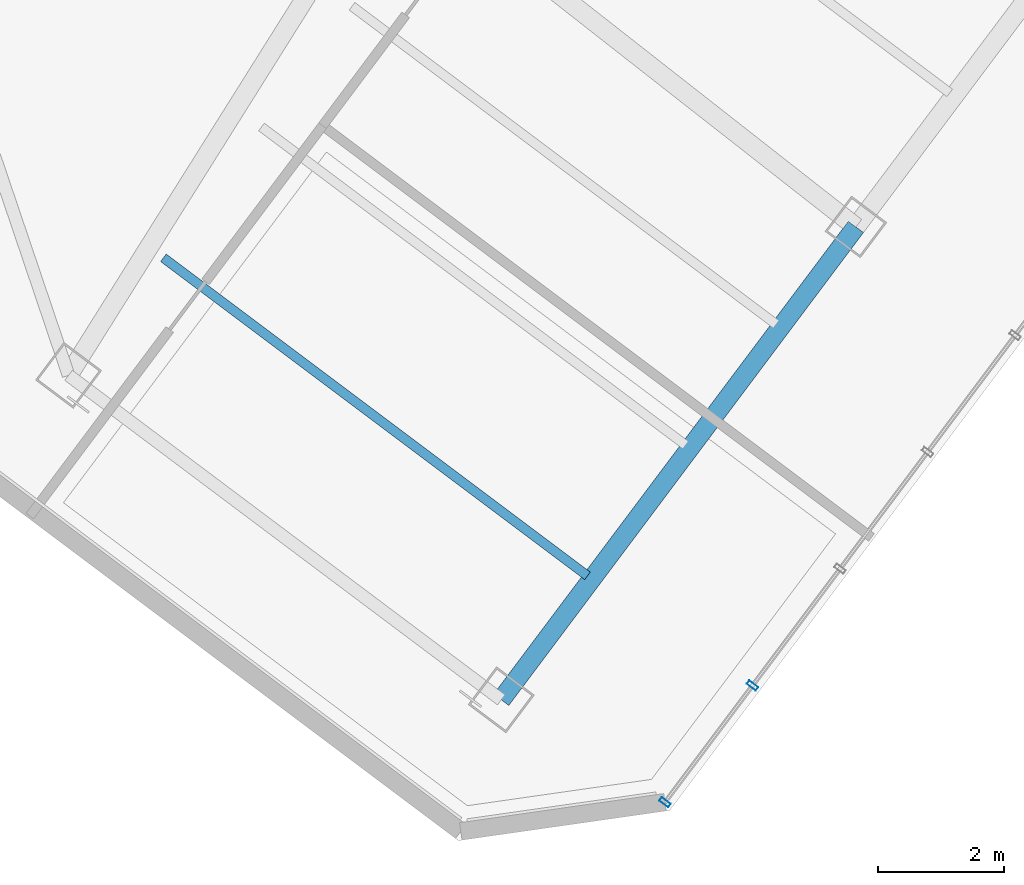
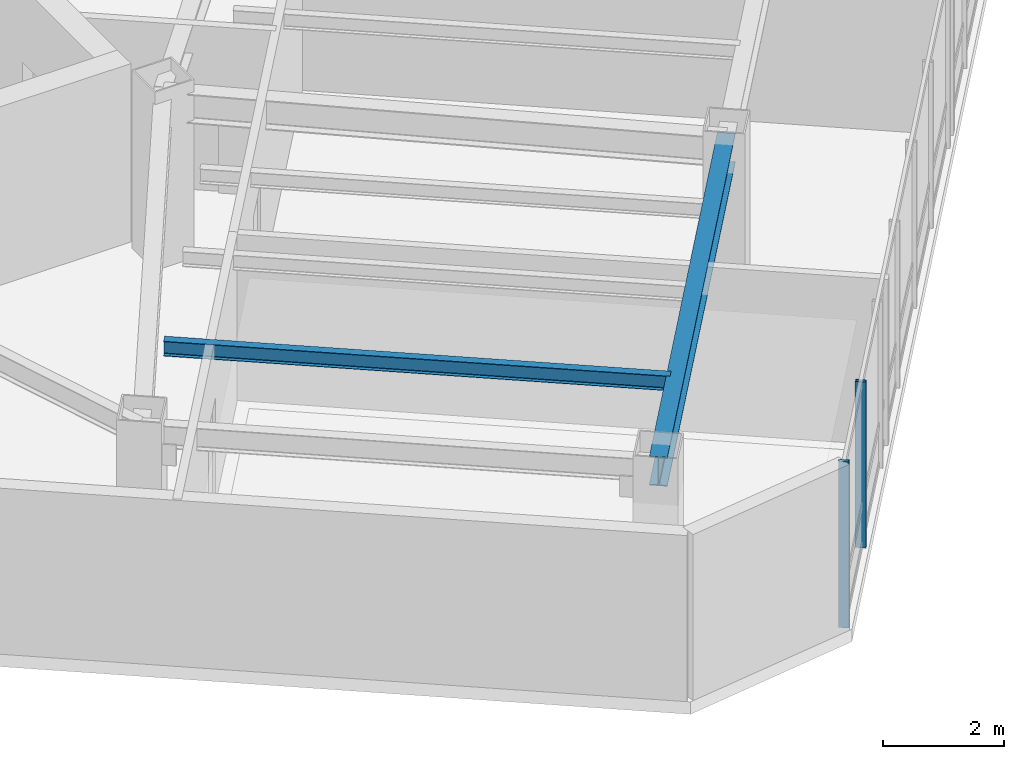
# One storey, part 2 of 26: 2 beams, 2 members, 1 element without a shape of its own.
"""IFC4 building model written with IfcOpenShell, lengths in metres."""

from ifc_helpers import new_model, si_unit, direction, frame, origin, origin_2d, place, context, subcontext, project, spatial, hollow_rectangle, i_section, extrude, material, layer, layer_set, material_profile, profile_set, type_object, element, aggregate, save


model = new_model("IFC4")

# Units and contexts
model_context = context("Model", 3, precision=1e-05, world=origin(), true_north=direction((0.0, 1.0)))
body_context = subcontext(model_context, "Body", "Model", "MODEL_VIEW")
ifc_project = project(units=[si_unit("LENGTHUNIT", "METRE"), si_unit("AREAUNIT", "SQUARE_METRE"), si_unit("VOLUMEUNIT", "CUBIC_METRE"), si_unit("PLANEANGLEUNIT", "RADIAN"), si_unit("MASSUNIT", "GRAM", prefix="KILO")], contexts=[model_context])

# Site, building, storey
site_placement = place(None, origin())
site = spatial("IfcSite", under=ifc_project, at=site_placement, CompositionType="ELEMENT")
building_placement = place(site_placement, origin())
building = spatial("IfcBuilding", under=site, at=building_placement, Name="Hatsunagi Terrace Concourse", CompositionType="ELEMENT")
storey_placement = place(building_placement, frame((0.0, 0.0, 198.75)))
storey = spatial("IfcBuildingStorey", under=building, at=storey_placement, Name="L52", CompositionType="ELEMENT", Elevation=198.75)

# Curtain wall, members
ifc_material_1 = material(Name="Anodised Aluminium Alloy 6063-T5", Category="aluminium")
ifc_layer = layer(ifc_material_1, 0.199951171875)
ifc_layer_set = layer_set([ifc_layer], Name="OfficeZone2_CW04")
curtain_wall_type = type_object("IfcCurtainWallType", Name="OfficeZone2_CW04", PredefinedType="NOTDEFINED", material=ifc_layer_set)
curtain_wall_placement = place(storey_placement, origin())
curtain_wall = element("IfcCurtainWall", 1, at=curtain_wall_placement, inside=storey, type_object=curtain_wall_type, Name="Unitised Curtain Wall CW-04 CW-L52-03", PredefinedType="NOTDEFINED")
ifc_material_2 = material(Name="Anodised Aluminium Alloy 6063-T5", Category="aluminium")
ifc_material_profile_1 = material_profile(ifc_material_2, hollow_rectangle(XDim=0.070068359375, YDim=0.179931640625, WallThickness=0.00390625, at=origin_2d()), Name="ALU-MUL-180x70x4")
ifc_profile_set_1 = profile_set([ifc_material_profile_1], Name="Anodised Aluminium Alloy 6063-T5")
member_type = type_object("IfcMemberType", Name="CurtainWallMullion_180x70", PredefinedType="MULLION", material=ifc_profile_set_1)
member_1_placement = place(storey_placement, frame((49.554931640625, 11.10595703125, 0.0), z_axis=(0.0, 0.0, 1.0), x_axis=(-0.599969314634, -0.800023013105, 0.0)))
member_1 = element("IfcMember", 2, at=member_1_placement, type_object=member_type, Name="Curtain Wall Mullion MUL-02", PredefinedType="MULLION", context=body_context, shape_type="SweptSolid", body=[
    extrude(hollow_rectangle(XDim=0.070068359375, YDim=0.179931640625, WallThickness=0.00390625, at=origin_2d()), origin(), (0.0, 0.0, 1.0), 3.35009765625),
])
member_2_placement = place(storey_placement, frame((48.1630859375, 9.25, 0.0), z_axis=(0.0, 0.0, 1.0), x_axis=(-0.599969314634, -0.800023013105, 0.0)))
member_2 = element("IfcMember", 3, at=member_2_placement, type_object=member_type, Name="Curtain Wall Mullion MUL-02", PredefinedType="MULLION", context=body_context, shape_type="SweptSolid", body=[
    extrude(hollow_rectangle(XDim=0.070068359375, YDim=0.179931640625, WallThickness=0.00390625, at=origin_2d()), origin(), (0.0, 0.0, 1.0), 3.35009765625),
])
aggregate(curtain_wall, [member_1, member_2])

# Beams
ifc_material_3 = material(Name="Steel SN490B", Category="steel")
ifc_material_profile_2 = material_profile(ifc_material_3, i_section(OverallWidth=0.300048828125, OverallDepth=0.587890625, WebThickness=0.011962890625, FlangeThickness=0.02001953125, FilletRadius=0.01806640625, at=origin_2d()), Name="H-588x300x12x20")
ifc_profile_set_2 = profile_set([ifc_material_profile_2], Name="Steel SN490B")
beam_type_1 = type_object("IfcBeamType", Name="OfficeHighGirder_H_588x300", PredefinedType="BEAM", material=ifc_profile_set_2)
beam_1_placement = place(storey_placement, frame((45.56005859375, 10.8798828125, 3.055908203125), z_axis=(0.599991688754, 0.800006233367, 0.0), x_axis=(-0.800006233367, 0.599991688754, 0.0)))
element("IfcBeam", 4, at=beam_1_placement, inside=storey, type_object=beam_type_1, Name="Beam G-06 BM-L52-SET-2A", PredefinedType="BEAM", context=body_context, shape_type="SweptSolid", body=[
    extrude(i_section(OverallWidth=0.300048828125, OverallDepth=0.587890625, WebThickness=0.011962890625, FlangeThickness=0.02001953125, FilletRadius=0.01806640625, at=origin_2d()), origin(), (0.0, 0.0, 1.0), 9.39990234375),
])
ifc_material_4 = material(Name="Steel SN490B", Category="steel")
ifc_material_profile_3 = material_profile(ifc_material_4, i_section(OverallWidth=0.14990234375, OverallDepth=0.300048828125, WebThickness=0.006591796875, FlangeThickness=0.009033203125, FilletRadius=0.010986328125, at=origin_2d()), Name="H-300x150x6.5x9")
ifc_profile_set_3 = profile_set([ifc_material_profile_3], Name="Steel SN490B")
beam_type_2 = type_object("IfcBeamType", Name="OfficeJoist_H_300x150", PredefinedType="JOIST", material=ifc_profile_set_3)
beam_2_placement = place(storey_placement, frame((40.18798828125, 17.908935546875, 3.199951171875), z_axis=(0.800003475366, -0.59999536615, 0.0), x_axis=(0.59999536615, 0.800003475366, 0.0)))
element("IfcBeam", 5, at=beam_2_placement, inside=storey, type_object=beam_type_2, Name="Beam J-03 J-L52-SE-2-46", PredefinedType="JOIST", context=body_context, shape_type="SweptSolid", body=[
    extrude(i_section(OverallWidth=0.14990234375, OverallDepth=0.300048828125, WebThickness=0.006591796875, FlangeThickness=0.009033203125, FilletRadius=0.010986328125, at=origin_2d()), origin(), (0.0, 0.0, 1.0), 8.429931640625),
])

save(model, "model.ifc")
